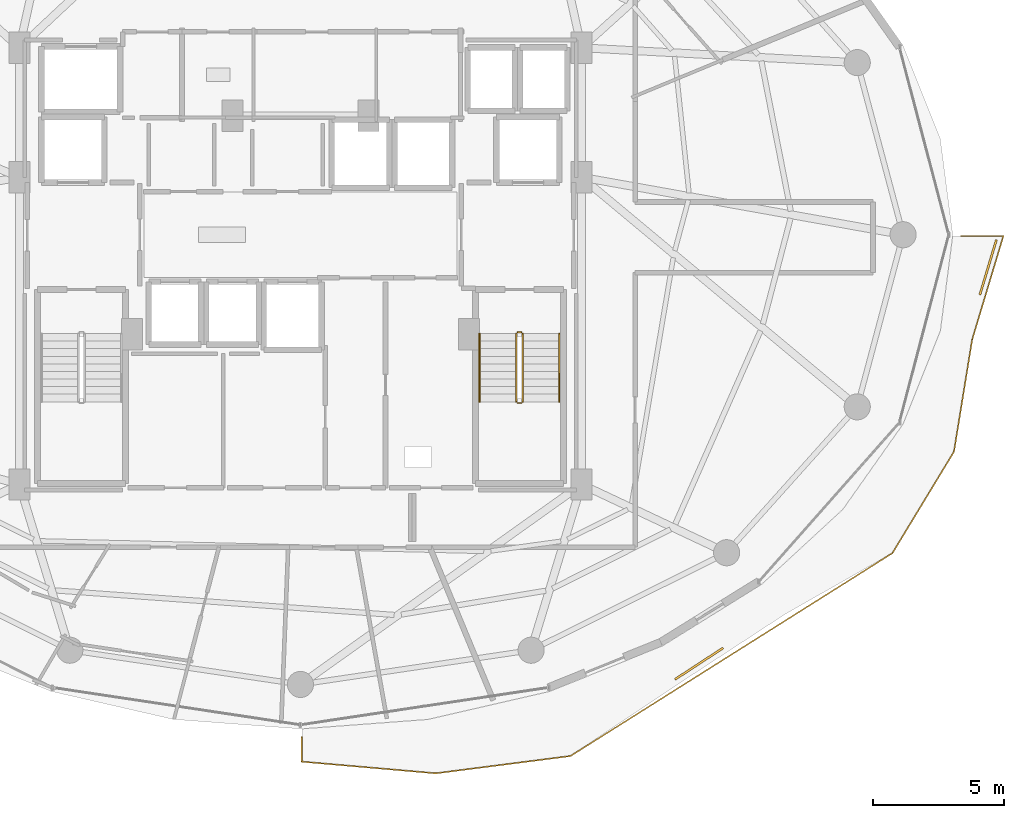
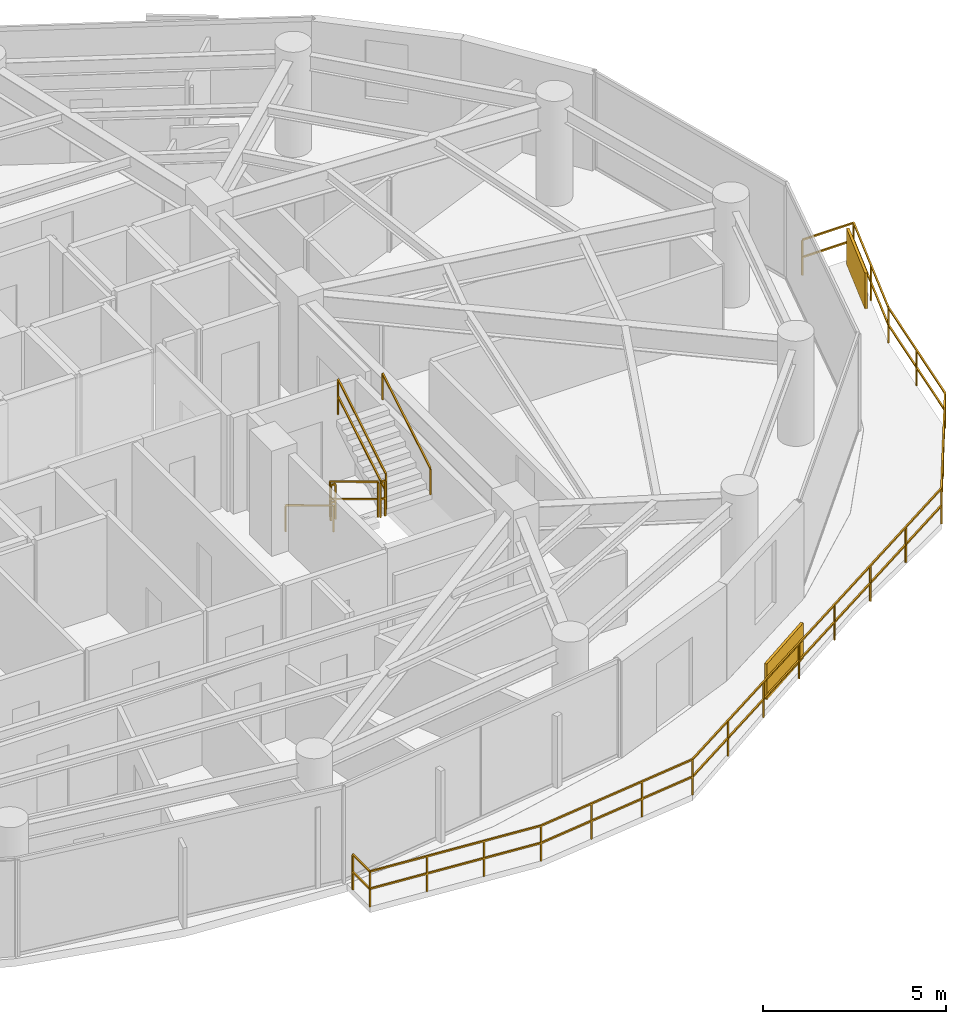
# One storey, part 27 of 29: 8 railings, 2 shading devices.
"""IFC4 building model written with IfcOpenShell, lengths in metres."""

from ifc_helpers import new_model, si_unit, direction, frame, origin, origin_2d, place, context, subcontext, project, spatial, rectangle, extrude, material, type_object, element, save


model = new_model("IFC4")

# Units and contexts
model_context = context("Model", 3, precision=1e-05, world=origin(), true_north=direction((0.0, 1.0)))
body_context = subcontext(model_context, "Body", "Model", "MODEL_VIEW")
ifc_project = project(units=[si_unit("LENGTHUNIT", "METRE"), si_unit("AREAUNIT", "SQUARE_METRE"), si_unit("VOLUMEUNIT", "CUBIC_METRE"), si_unit("PLANEANGLEUNIT", "RADIAN"), si_unit("MASSUNIT", "GRAM", prefix="KILO")], contexts=[model_context])

# Site, building, storey
site_placement = place(None, origin())
site = spatial("IfcSite", under=ifc_project, at=site_placement, CompositionType="ELEMENT")
building_placement = place(site_placement, origin())
building = spatial("IfcBuilding", under=site, at=building_placement, Name="Vorneva Point Tower", CompositionType="ELEMENT")
storey_placement = place(building_placement, frame((0.0, 0.0, 171.10009765625)))
storey = spatial("IfcBuildingStorey", under=building, at=storey_placement, Name="L46", CompositionType="ELEMENT", Elevation=171.10009765625)

# Railings
ifc_material_1 = material(Name="Pale anodised aluminium", Category="aluminium")
railing_type_1 = type_object("IfcRailingType", Name="RL-BAL-1200", PredefinedType="BALUSTRADE", material=ifc_material_1)
railing_1_placement = place(storey_placement, frame((63.692626953125, 21.991943359375, 0.0)))
element("IfcRailing", 1, at=railing_1_placement, inside=storey, type_object=railing_type_1, Name="L46 Wave Balcony Balustrade SE.1", PredefinedType="BALUSTRADE", context=body_context, shape_type="SweptSolid", body=[
    extrude(rectangle(XDim=0.048095703125, YDim=0.048095703125, at=origin_2d()), frame((0.0, 0.0, 1.17578125), z_axis=(0.28845305272, 0.957494039865, 0.0), x_axis=(-0.957494039865, 0.28845305272, 0.0)), (0.0, 0.0, 1.0), 4.1337890625),
    extrude(rectangle(XDim=0.048095703125, YDim=0.048095703125, at=origin_2d()), frame((0.0, 0.0, 0.60009765625), z_axis=(0.28845305272, 0.957494039865, 0.0), x_axis=(-0.957494039865, 0.28845305272, 0.0)), (0.0, 0.0, 1.0), 4.1337890625),
    extrude(rectangle(XDim=0.048095703125, YDim=0.048095703125, at=origin_2d()), frame((1.1923828125, 3.9580078125, 1.17578125), z_axis=(-1.0, 0.0, 0.0), x_axis=(0.0, -1.0, 0.0)), (0.0, 0.0, 1.0), 1.618896484375),
    extrude(rectangle(XDim=0.048095703125, YDim=0.048095703125, at=origin_2d()), frame((1.1923828125, 3.9580078125, 0.60009765625), z_axis=(-1.0, 0.0, 0.0), x_axis=(0.0, -1.0, 0.0)), (0.0, 0.0, 1.0), 1.618896484375),
    extrude(rectangle(XDim=0.0419921875, YDim=0.0419921875, at=origin_2d()), origin(), (0.0, 0.0, 1.0), 1.15185546875),
    extrude(rectangle(XDim=0.0419921875, YDim=0.0419921875, at=origin_2d()), frame((0.59619140625, 1.97900390625, 0.0)), (0.0, 0.0, 1.0), 1.15185546875),
    extrude(rectangle(XDim=0.0419921875, YDim=0.0419921875, at=origin_2d()), frame((1.1923828125, 3.9580078125, 0.0)), (0.0, 0.0, 1.0), 1.15185546875),
    extrude(rectangle(XDim=0.0419921875, YDim=0.0419921875, at=origin_2d()), frame((-0.426513671875, 3.9580078125, 0.0)), (0.0, 0.0, 1.0), 1.15185546875),
])
railing_2_placement = place(storey_placement, frame((38.050048828125, 6.78271484375, 0.0)))
element("IfcRailing", 2, at=railing_2_placement, inside=storey, type_object=railing_type_1, Name="L46 Wave Balcony Balustrade SE.2", PredefinedType="BALUSTRADE", context=body_context, shape_type="SweptSolid", body=[
    extrude(rectangle(XDim=0.048095703125, YDim=0.048095703125, at=origin_2d()), frame((0.0, 0.0, 1.17578125), z_axis=(0.0, -1.0, 0.0), x_axis=(1.0, 0.0, 0.0)), (0.0, 0.0, 1.0), 0.93701171875),
    extrude(rectangle(XDim=0.048095703125, YDim=0.048095703125, at=origin_2d()), frame((0.0, 0.0, 0.60009765625), z_axis=(0.0, -1.0, 0.0), x_axis=(1.0, 0.0, 0.0)), (0.0, 0.0, 1.0), 0.93701171875),
    extrude(rectangle(XDim=0.048095703125, YDim=0.048095703125, at=origin_2d()), frame((0.0, -0.93701171875, 1.17578125), z_axis=(0.996243079237, -0.086600964614, 0.0), x_axis=(0.086600964614, 0.996243079237, 0.0)), (0.0, 0.0, 1.0), 5.147705078125),
    extrude(rectangle(XDim=0.048095703125, YDim=0.048095703125, at=origin_2d()), frame((0.0, -0.93701171875, 0.60009765625), z_axis=(0.996243079237, -0.086600964614, 0.0), x_axis=(0.086600964614, 0.996243079237, 0.0)), (0.0, 0.0, 1.0), 5.147705078125),
    extrude(rectangle(XDim=0.048095703125, YDim=0.048095703125, at=origin_2d()), frame((5.12841796875, -1.3828125, 1.17578125), z_axis=(0.991850899775, 0.127404052585, 0.0), x_axis=(-0.127404052585, 0.991850899775, 0.0)), (0.0, 0.0, 1.0), 5.189208984375),
    extrude(rectangle(XDim=0.048095703125, YDim=0.048095703125, at=origin_2d()), frame((5.12841796875, -1.3828125, 0.60009765625), z_axis=(0.991850899775, 0.127404052585, 0.0), x_axis=(-0.127404052585, 0.991850899775, 0.0)), (0.0, 0.0, 1.0), 5.189208984375),
    extrude(rectangle(XDim=0.048095703125, YDim=0.048095703125, at=origin_2d()), frame((10.275390625, -0.7216796875, 1.17578125), z_axis=(0.846000083638, 0.533182762742, 0.0), x_axis=(-0.533182762742, 0.846000083638, 0.0)), (0.0, 0.0, 1.0), 14.56103515625),
    extrude(rectangle(XDim=0.048095703125, YDim=0.048095703125, at=origin_2d()), frame((10.275390625, -0.7216796875, 0.60009765625), z_axis=(0.846000083638, 0.533182762742, 0.0), x_axis=(-0.533182762742, 0.846000083638, 0.0)), (0.0, 0.0, 1.0), 14.56103515625),
    extrude(rectangle(XDim=0.048095703125, YDim=0.048095703125, at=origin_2d()), frame((22.593994140625, 7.0419921875, 1.17578125), z_axis=(0.518660697508, 0.854980164016, 0.0), x_axis=(-0.854980164016, 0.518660697508, 0.0)), (0.0, 0.0, 1.0), 4.536376953125),
    extrude(rectangle(XDim=0.048095703125, YDim=0.048095703125, at=origin_2d()), frame((22.593994140625, 7.0419921875, 0.60009765625), z_axis=(0.518660697508, 0.854980164016, 0.0), x_axis=(-0.854980164016, 0.518660697508, 0.0)), (0.0, 0.0, 1.0), 4.536376953125),
    extrude(rectangle(XDim=0.048095703125, YDim=0.048095703125, at=origin_2d()), frame((24.94677734375, 10.92041015625, 1.17578125), z_axis=(0.160142185803, 0.987093957193, 0.0), x_axis=(-0.987093957193, 0.160142185803, 0.0)), (0.0, 0.0, 1.0), 4.344970703125),
    extrude(rectangle(XDim=0.048095703125, YDim=0.048095703125, at=origin_2d()), frame((24.94677734375, 10.92041015625, 0.60009765625), z_axis=(0.160142185803, 0.987093957193, 0.0), x_axis=(-0.987093957193, 0.160142185803, 0.0)), (0.0, 0.0, 1.0), 4.344970703125),
    extrude(rectangle(XDim=0.0419921875, YDim=0.0419921875, at=origin_2d()), origin(), (0.0, 0.0, 1.0), 1.15185546875),
    extrude(rectangle(XDim=0.0419921875, YDim=0.0419921875, at=origin_2d()), frame((0.0, -0.93701171875, 0.0)), (0.0, 0.0, 1.0), 1.15185546875),
    extrude(rectangle(XDim=0.0419921875, YDim=0.0419921875, at=origin_2d()), frame((1.70947265625, -1.085693359375, 0.0)), (0.0, 0.0, 1.0), 1.15185546875),
    extrude(rectangle(XDim=0.0419921875, YDim=0.0419921875, at=origin_2d()), frame((3.4189453125, -1.234130859375, 0.0)), (0.0, 0.0, 1.0), 1.15185546875),
    extrude(rectangle(XDim=0.0419921875, YDim=0.0419921875, at=origin_2d()), frame((5.12841796875, -1.3828125, 0.0)), (0.0, 0.0, 1.0), 1.15185546875),
    extrude(rectangle(XDim=0.0419921875, YDim=0.0419921875, at=origin_2d()), frame((6.843994140625, -1.162353515625, 0.0)), (0.0, 0.0, 1.0), 1.15185546875),
    extrude(rectangle(XDim=0.0419921875, YDim=0.0419921875, at=origin_2d()), frame((8.559814453125, -0.942138671875, 0.0)), (0.0, 0.0, 1.0), 1.15185546875),
    extrude(rectangle(XDim=0.0419921875, YDim=0.0419921875, at=origin_2d()), frame((10.275390625, -0.7216796875, 0.0)), (0.0, 0.0, 1.0), 1.15185546875),
    extrude(rectangle(XDim=0.0419921875, YDim=0.0419921875, at=origin_2d()), frame((12.03515625, 0.387451171875, 0.0)), (0.0, 0.0, 1.0), 1.15185546875),
    extrude(rectangle(XDim=0.0419921875, YDim=0.0419921875, at=origin_2d()), frame((13.794921875, 1.49658203125, 0.0)), (0.0, 0.0, 1.0), 1.15185546875),
    extrude(rectangle(XDim=0.0419921875, YDim=0.0419921875, at=origin_2d()), frame((15.5546875, 2.605712890625, 0.0)), (0.0, 0.0, 1.0), 1.15185546875),
    extrude(rectangle(XDim=0.0419921875, YDim=0.0419921875, at=origin_2d()), frame((17.314697265625, 3.714599609375, 0.0)), (0.0, 0.0, 1.0), 1.15185546875),
    extrude(rectangle(XDim=0.0419921875, YDim=0.0419921875, at=origin_2d()), frame((19.074462890625, 4.82373046875, 0.0)), (0.0, 0.0, 1.0), 1.15185546875),
    extrude(rectangle(XDim=0.0419921875, YDim=0.0419921875, at=origin_2d()), frame((20.834228515625, 5.932861328125, 0.0)), (0.0, 0.0, 1.0), 1.15185546875),
    extrude(rectangle(XDim=0.0419921875, YDim=0.0419921875, at=origin_2d()), frame((22.593994140625, 7.0419921875, 0.0)), (0.0, 0.0, 1.0), 1.15185546875),
    extrude(rectangle(XDim=0.0419921875, YDim=0.0419921875, at=origin_2d()), frame((23.7705078125, 8.981201171875, 0.0)), (0.0, 0.0, 1.0), 1.15185546875),
    extrude(rectangle(XDim=0.0419921875, YDim=0.0419921875, at=origin_2d()), frame((24.94677734375, 10.92041015625, 0.0)), (0.0, 0.0, 1.0), 1.15185546875),
    extrude(rectangle(XDim=0.0419921875, YDim=0.0419921875, at=origin_2d()), frame((25.294677734375, 13.06494140625, 0.0)), (0.0, 0.0, 1.0), 1.15185546875),
    extrude(rectangle(XDim=0.0419921875, YDim=0.0419921875, at=origin_2d()), frame((25.642578125, 15.209228515625, 0.0)), (0.0, 0.0, 1.0), 1.15185546875),
])
ifc_material_2 = material(Name="Brushed stainless steel S304", Category="steel")
railing_type_2 = type_object("IfcRailingType", Name="RL-HND-920", PredefinedType="HANDRAIL", material=ifc_material_2)
railing_3_placement = place(storey_placement, frame((44.85009765625, 22.219970703125, 0.1748046875)))
element("IfcRailing", 3, at=railing_3_placement, inside=storey, type_object=railing_type_2, Name="L46 ST2 stair handrail 1", PredefinedType="HANDRAIL", context=body_context, shape_type="SweptSolid", body=[
    extrude(rectangle(XDim=0.048095703125, YDim=0.048095703125, at=origin_2d()), frame((0.0, 0.0, 0.8759765625), z_axis=(0.0, -0.856147343639, 0.516731773728), x_axis=(1.0, 0.0, 0.0)), (0.0, 0.0, 1.0), 3.04833984375),
    extrude(rectangle(XDim=0.0419921875, YDim=0.0419921875, at=origin_2d()), origin(), (0.0, 0.0, 1.0), 0.851806640625),
    extrude(rectangle(XDim=0.0419921875, YDim=0.0419921875, at=origin_2d()), frame((0.0, -2.60986328125, 1.5751953125)), (0.0, 0.0, 1.0), 0.851806640625),
])
railing_4_placement = place(storey_placement, frame((47.89990234375, 19.610107421875, 1.9248046875)))
element("IfcRailing", 4, at=railing_4_placement, inside=storey, type_object=railing_type_2, Name="L46 ST2 stair handrail 2", PredefinedType="HANDRAIL", context=body_context, shape_type="SweptSolid", body=[
    extrude(rectangle(XDim=0.048095703125, YDim=0.048095703125, at=origin_2d()), frame((0.0, 0.0, 0.8759765625), z_axis=(0.0, 0.856147343639, 0.516731773728), x_axis=(-1.0, 0.0, 0.0)), (0.0, 0.0, 1.0), 3.04833984375),
    extrude(rectangle(XDim=0.0419921875, YDim=0.0419921875, at=origin_2d()), origin(), (0.0, 0.0, 1.0), 0.851806640625),
    extrude(rectangle(XDim=0.0419921875, YDim=0.0419921875, at=origin_2d()), frame((0.0, 2.60986328125, 1.5751953125)), (0.0, 0.0, 1.0), 0.851806640625),
])
railing_type_3 = type_object("IfcRailingType", Name="RL-STG-1100", PredefinedType="GUARDRAIL", material=ifc_material_2)
railing_5_placement = place(storey_placement, frame((46.25, 22.219970703125, 0.1748046875)))
element("IfcRailing", 5, at=railing_5_placement, inside=storey, type_object=railing_type_3, Name="L46 ST2 stair guard 1", PredefinedType="GUARDRAIL", context=body_context, shape_type="SweptSolid", body=[
    extrude(rectangle(XDim=0.048095703125, YDim=0.048095703125, at=origin_2d()), frame((0.0, 0.0, 1.17578125), z_axis=(0.0, -0.856147343639, 0.516731773728), x_axis=(1.0, 0.0, 0.0)), (0.0, 0.0, 1.0), 3.04833984375),
    extrude(rectangle(XDim=0.048095703125, YDim=0.048095703125, at=origin_2d()), frame((0.0, 0.0, 0.60009765625), z_axis=(0.0, -0.856147343639, 0.516731773728), x_axis=(1.0, 0.0, 0.0)), (0.0, 0.0, 1.0), 3.04833984375),
    extrude(rectangle(XDim=0.0419921875, YDim=0.0419921875, at=origin_2d()), origin(), (0.0, 0.0, 1.0), 1.15185546875),
    extrude(rectangle(XDim=0.0419921875, YDim=0.0419921875, at=origin_2d()), frame((0.0, -2.60986328125, 1.5751953125)), (0.0, 0.0, 1.0), 1.15185546875),
])
railing_6_placement = place(storey_placement, frame((46.300048828125, 19.56005859375, 1.75)))
element("IfcRailing", 6, at=railing_6_placement, inside=storey, type_object=railing_type_3, Name="L46 ST2 stair guard 2", PredefinedType="GUARDRAIL", context=body_context, shape_type="SweptSolid", body=[
    extrude(rectangle(XDim=0.048095703125, YDim=0.048095703125, at=origin_2d()), frame((0.0, 0.0, 1.17578125), z_axis=(1.0, 0.0, 0.0), x_axis=(0.0, 1.0, 0.0)), (0.0, 0.0, 1.0), 0.14990234375),
    extrude(rectangle(XDim=0.048095703125, YDim=0.048095703125, at=origin_2d()), frame((0.0, 0.0, 0.60009765625), z_axis=(1.0, 0.0, 0.0), x_axis=(0.0, 1.0, 0.0)), (0.0, 0.0, 1.0), 0.14990234375),
    extrude(rectangle(XDim=0.0419921875, YDim=0.0419921875, at=origin_2d()), origin(), (0.0, 0.0, 1.0), 1.15185546875),
    extrude(rectangle(XDim=0.0419921875, YDim=0.0419921875, at=origin_2d()), frame((0.14990234375, 0.0, 0.0)), (0.0, 0.0, 1.0), 1.15185546875),
])
railing_7_placement = place(storey_placement, frame((46.5, 19.610107421875, 1.9248046875)))
element("IfcRailing", 7, at=railing_7_placement, inside=storey, type_object=railing_type_3, Name="L46 ST2 stair guard 3", PredefinedType="GUARDRAIL", context=body_context, shape_type="SweptSolid", body=[
    extrude(rectangle(XDim=0.048095703125, YDim=0.048095703125, at=origin_2d()), frame((0.0, 0.0, 1.17578125), z_axis=(0.0, 0.856147343639, 0.516731773728), x_axis=(-1.0, 0.0, 0.0)), (0.0, 0.0, 1.0), 3.04833984375),
    extrude(rectangle(XDim=0.048095703125, YDim=0.048095703125, at=origin_2d()), frame((0.0, 0.0, 0.60009765625), z_axis=(0.0, 0.856147343639, 0.516731773728), x_axis=(-1.0, 0.0, 0.0)), (0.0, 0.0, 1.0), 3.04833984375),
    extrude(rectangle(XDim=0.0419921875, YDim=0.0419921875, at=origin_2d()), origin(), (0.0, 0.0, 1.0), 1.15185546875),
    extrude(rectangle(XDim=0.0419921875, YDim=0.0419921875, at=origin_2d()), frame((0.0, 2.60986328125, 1.5751953125)), (0.0, 0.0, 1.0), 1.15185546875),
])
railing_8_placement = place(storey_placement, frame((46.300048828125, 22.27001953125, 0.0)))
element("IfcRailing", 8, at=railing_8_placement, inside=storey, type_object=railing_type_3, Name="L46 ST2 stair guard 4", PredefinedType="GUARDRAIL", context=body_context, shape_type="SweptSolid", body=[
    extrude(rectangle(XDim=0.048095703125, YDim=0.048095703125, at=origin_2d()), frame((0.0, 0.0, 1.17578125), z_axis=(1.0, 0.0, 0.0), x_axis=(0.0, 1.0, 0.0)), (0.0, 0.0, 1.0), 0.14990234375),
    extrude(rectangle(XDim=0.048095703125, YDim=0.048095703125, at=origin_2d()), frame((0.0, 0.0, 0.60009765625), z_axis=(1.0, 0.0, 0.0), x_axis=(0.0, 1.0, 0.0)), (0.0, 0.0, 1.0), 0.14990234375),
    extrude(rectangle(XDim=0.0419921875, YDim=0.0419921875, at=origin_2d()), origin(), (0.0, 0.0, 1.0), 1.15185546875),
    extrude(rectangle(XDim=0.0419921875, YDim=0.0419921875, at=origin_2d()), frame((0.14990234375, 0.0, 0.0)), (0.0, 0.0, 1.0), 1.15185546875),
])

# Shading devices
shading_device_type = type_object("IfcShadingDeviceType", Name="SHD-JAL-1200", PredefinedType="JALOUSIE", material=ifc_material_1)
for number, where, z_axis, x_axis, name in (
    (9, (64.302490234375, 24.75634765625, -0.02001953125), (0.0, 0.0, 1.0), (0.288430238351, 0.957500912587, 0.0), "L46 Balcony Vertical-Greenery Planter Screen SE.1"),
    (10, (53.243896484375, 9.593994140625, -0.02001953125), (0.0, 0.0, 1.0), (0.837165473414, 0.546949696154, 0.0), "L46 Balcony Vertical-Greenery Planter Screen SE.2"),
):
    element("IfcShadingDevice", number, at=place(storey_placement, frame(where, z_axis=z_axis, x_axis=x_axis)), inside=storey, type_object=shading_device_type, Name=name, PredefinedType="JALOUSIE", context=body_context, shape_type="SweptSolid", body=[
        extrude(rectangle(XDim=2.199951171875, YDim=0.080078125, at=origin_2d()), origin(), (0.0, 0.0, 1.0), 1.199951171875),
    ])

save(model, "model.ifc")
